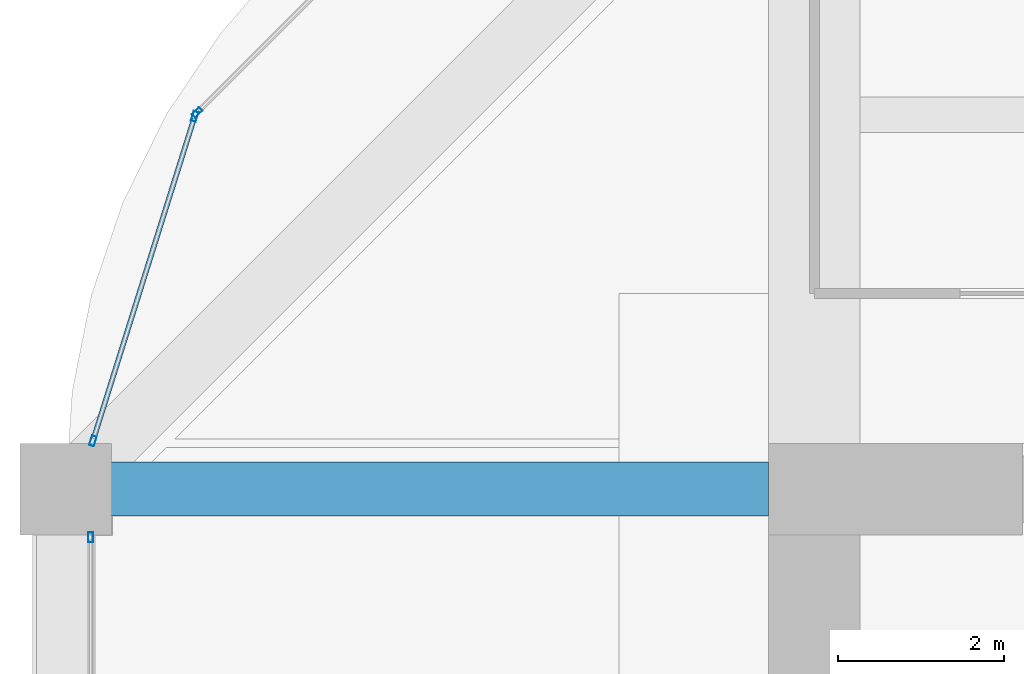
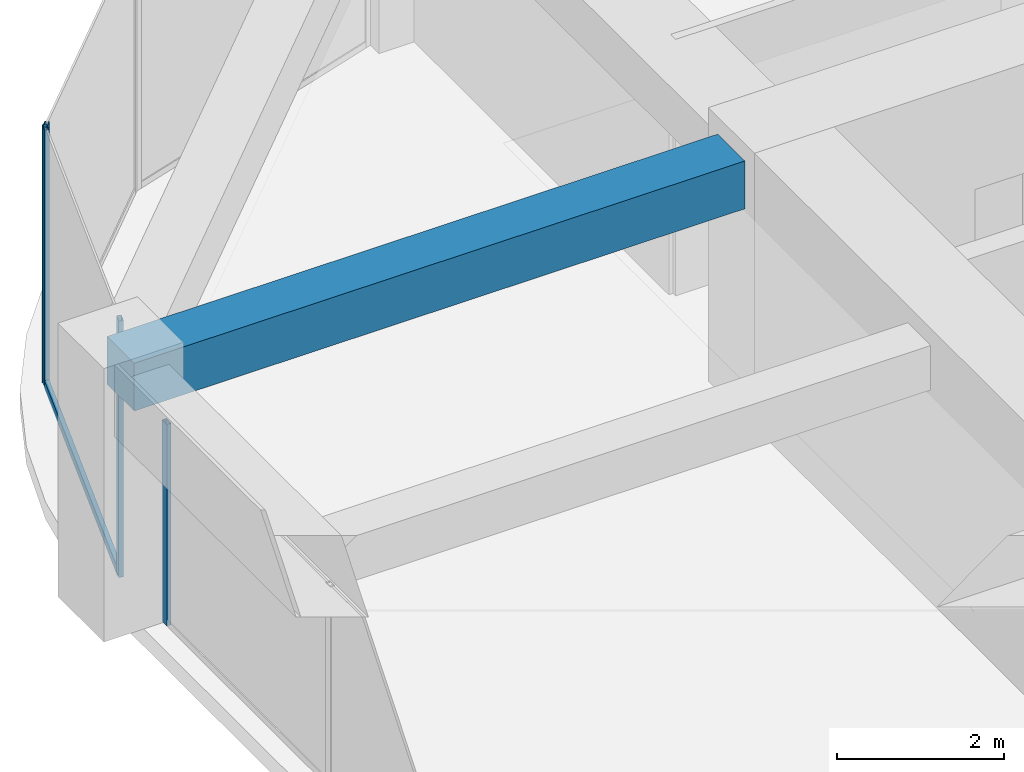
# One storey, part 28 of 44: 5 members, 1 beam, 3 elements without a shape of their own.
"""IFC4 building model written with IfcOpenShell, lengths in metres."""

from ifc_helpers import new_model, si_unit, direction, frame, origin, origin_2d, place, context, subcontext, project, spatial, rectangle, hollow_rectangle, extrude, material, material_profile, profile_set, type_object, element, aggregate, save


model = new_model("IFC4")

# Units and contexts
model_context = context("Model", 3, precision=1e-05, world=origin(), true_north=direction((0.0, 1.0)))
body_context = subcontext(model_context, "Body", "Model", "MODEL_VIEW")
ifc_project = project(units=[si_unit("LENGTHUNIT", "METRE"), si_unit("AREAUNIT", "SQUARE_METRE"), si_unit("VOLUMEUNIT", "CUBIC_METRE"), si_unit("PLANEANGLEUNIT", "RADIAN"), si_unit("MASSUNIT", "GRAM", prefix="KILO")], contexts=[model_context])

# Site, building, storey
site_placement = place(None, origin())
site = spatial("IfcSite", under=ifc_project, at=site_placement, CompositionType="ELEMENT")
building_placement = place(site_placement, origin())
building = spatial("IfcBuilding", under=site, at=building_placement, Name="Zorevar Civic Tower", CompositionType="ELEMENT")
storey_placement = place(building_placement, frame((0.0, 0.0, 251.39990234375)))
storey = spatial("IfcBuildingStorey", under=building, at=storey_placement, Name="L61", CompositionType="ELEMENT", Elevation=251.39990234375)

# Beam
ifc_material_1 = material(Name="Concrete C50/60", Category="concrete")
ifc_material_profile_1 = material_profile(ifc_material_1, rectangle(XDim=0.64990234375, YDim=0.699951171875, at=origin_2d()), Name="RC 650x700")
ifc_profile_set_1 = profile_set([ifc_material_profile_1], Name="Concrete C50/60")
beam_type = type_object("IfcBeamType", Name="Beam RC 650x700", PredefinedType="BEAM", material=ifc_profile_set_1)
beam_placement = place(storey_placement, frame((9.0, 36.0, 3.400146484375), z_axis=(1.0, 0.0, 0.0), x_axis=(0.0, 1.0, 0.0)))
element("IfcBeam", 1, at=beam_placement, inside=storey, type_object=beam_type, Name="Girder L62", PredefinedType="BEAM", context=body_context, shape_type="SweptSolid", body=[
    extrude(rectangle(XDim=0.64990234375, YDim=0.699951171875, at=origin_2d()), origin(), (0.0, 0.0, 1.0), 8.449951171875),
])

# Curtain wall, member
ifc_material_2 = material(Name="Dark grey solar-control glass in black aluminium frame", Category="aluminium")
curtain_wall_type = type_object("IfcCurtainWallType", Name="Curtain wall CW5 top zone", PredefinedType="NOTDEFINED", material=ifc_material_2)
curtain_wall_1_placement = place(storey_placement, origin())
curtain_wall_1 = element("IfcCurtainWall", 2, at=curtain_wall_1_placement, inside=storey, type_object=curtain_wall_type, Name="CW5 L61", PredefinedType="NOTDEFINED")
ifc_material_3 = material(Name="Aluminium, black anodised", Category="aluminium")
ifc_material_profile_2 = material_profile(ifc_material_3, hollow_rectangle(XDim=0.06005859375, YDim=0.1201171875, WallThickness=0.0029296875, at=origin_2d()), Name="AL 120x60x3")
ifc_profile_set_2 = profile_set([ifc_material_profile_2], Name="Aluminium, black anodised")
member_type_1 = type_object("IfcMemberType", Name="CW5 mullion AL 120x60x3", PredefinedType="MULLION", material=ifc_profile_set_2)
member_1_placement = place(storey_placement, frame((9.300048828125, 35.419921875, 0.0), z_axis=(0.0, 0.0, 1.0), x_axis=(-1.0, 0.0, 0.0)))
member_1 = element("IfcMember", 3, at=member_1_placement, type_object=member_type_1, Name="CW5 mullion 3", PredefinedType="MULLION", context=body_context, shape_type="SweptSolid", body=[
    extrude(hollow_rectangle(XDim=0.06005859375, YDim=0.1201171875, WallThickness=0.0029296875, at=origin_2d()), origin(), (0.0, 0.0, 1.0), 2.9501953125),
])
aggregate(curtain_wall_1, [member_1])

curtain_wall_2_placement = place(storey_placement, origin())
curtain_wall_2 = element("IfcCurtainWall", 4, at=curtain_wall_2_placement, inside=storey, type_object=curtain_wall_type, Name="CW5 L61", PredefinedType="NOTDEFINED")
member_2_placement = place(storey_placement, frame((10.580322265625, 40.529052734375, 0.0), z_axis=(0.0, 0.0, 1.0), x_axis=(0.707106781187, -0.707106781187, 0.0)))
member_2 = element("IfcMember", 5, at=member_2_placement, type_object=member_type_1, Name="CW5 mullion 2", PredefinedType="MULLION", context=body_context, shape_type="SweptSolid", body=[
    extrude(hollow_rectangle(XDim=0.06005859375, YDim=0.1201171875, WallThickness=0.0029296875, at=origin_2d()), origin(), (0.0, 0.0, 1.0), 3.75),
])
aggregate(curtain_wall_2, [member_2])

# Curtain wall, members
curtain_wall_3_placement = place(storey_placement, origin())
curtain_wall_3 = element("IfcCurtainWall", 6, at=curtain_wall_3_placement, inside=storey, type_object=curtain_wall_type, Name="CW5 L61", PredefinedType="NOTDEFINED")
member_3_placement = place(storey_placement, frame((10.550048828125, 40.479248046875, 0.0), z_axis=(0.0, 0.0, 1.0), x_axis=(0.954153437674, -0.299317920238, 0.0)))
member_3 = element("IfcMember", 7, at=member_3_placement, type_object=member_type_1, Name="CW5 mullion 1", PredefinedType="MULLION", context=body_context, shape_type="SweptSolid", body=[
    extrude(hollow_rectangle(XDim=0.06005859375, YDim=0.1201171875, WallThickness=0.0029296875, at=origin_2d()), origin(), (0.0, 0.0, 1.0), 3.75),
])
member_4_placement = place(storey_placement, frame((9.326416015625, 36.57861328125, 0.0), z_axis=(0.0, 0.0, 1.0), x_axis=(0.954153437674, -0.299317920238, 0.0)))
member_4 = element("IfcMember", 8, at=member_4_placement, type_object=member_type_1, Name="CW5 mullion 2", PredefinedType="MULLION", context=body_context, shape_type="SweptSolid", body=[
    extrude(hollow_rectangle(XDim=0.06005859375, YDim=0.1201171875, WallThickness=0.0029296875, at=origin_2d()), origin(), (0.0, 0.0, 1.0), 3.75),
])
ifc_material_4 = material(Name="Aluminium, black anodised", Category="aluminium")
ifc_material_profile_3 = material_profile(ifc_material_4, hollow_rectangle(XDim=0.06005859375, YDim=0.1201171875, WallThickness=0.0029296875, at=origin_2d()), Name="AL 120x60x3")
ifc_profile_set_3 = profile_set([ifc_material_profile_3], Name="Aluminium, black anodised")
member_type_2 = type_object("IfcMemberType", Name="CW5 transom AL 120x60x3", PredefinedType="USERDEFINED", material=ifc_profile_set_3)
member_5_placement = place(storey_placement, frame((10.541015625, 40.45068359375, 0.030029296875), z_axis=(-0.299285978047, -0.954163457351, 0.0), x_axis=(0.954163457351, -0.299285978047, 0.0)))
member_5 = element("IfcMember", 9, at=member_5_placement, type_object=member_type_2, Name="CW5 sill transom", ObjectType="TRANSOM", PredefinedType="USERDEFINED", context=body_context, shape_type="SweptSolid", body=[
    extrude(hollow_rectangle(XDim=0.06005859375, YDim=0.1201171875, WallThickness=0.0029296875, at=origin_2d()), origin(), (0.0, 0.0, 1.0), 4.028076171875),
])
aggregate(curtain_wall_3, [member_3, member_4, member_5])

save(model, "model.ifc")
